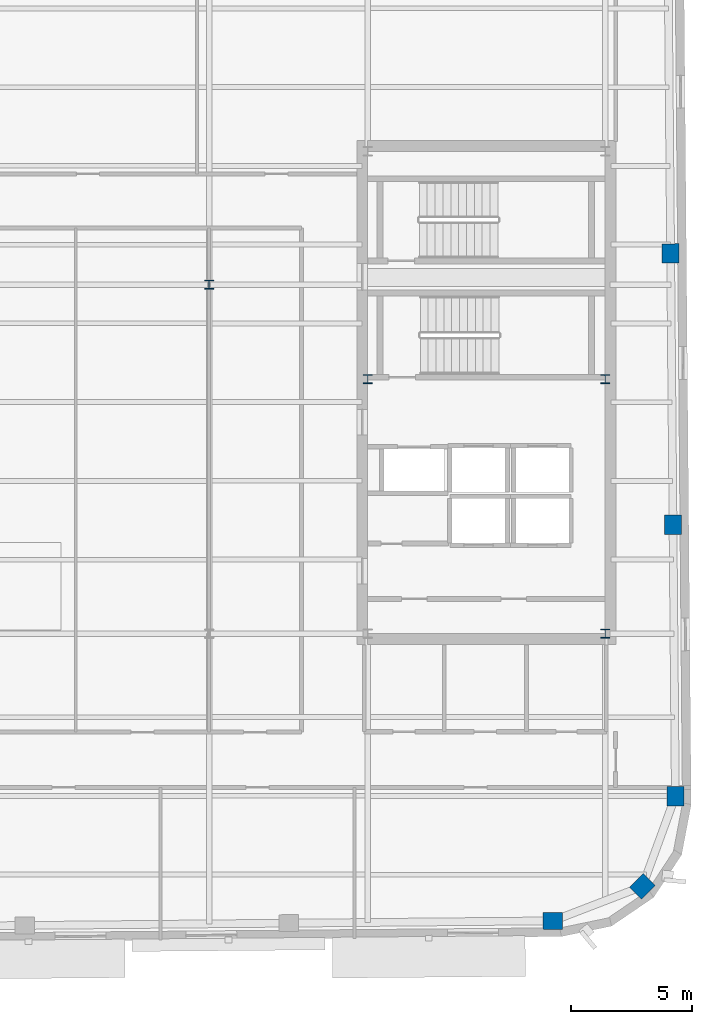
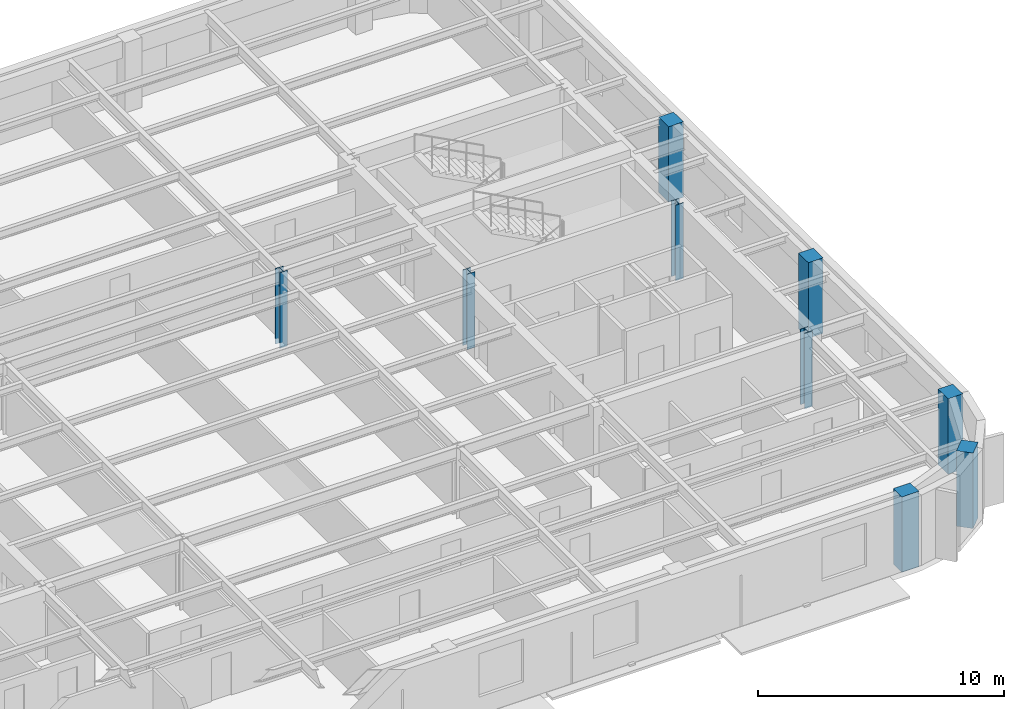
# One storey, part 2 of 15: 9 columns.
"""IFC4 building model written with IfcOpenShell, lengths in metres."""

from ifc_helpers import new_model, si_unit, direction, frame, origin, origin_2d, place, context, subcontext, project, spatial, rectangle, i_section, extrude, material, material_profile, profile_set, type_object, element, save


model = new_model("IFC4")

# Units and contexts
model_context = context("Model", 3, precision=1e-05, world=origin(), true_north=direction((0.0, 1.0)))
body_context = subcontext(model_context, "Body", "Model", "MODEL_VIEW")
ifc_project = project(units=[si_unit("LENGTHUNIT", "METRE"), si_unit("AREAUNIT", "SQUARE_METRE"), si_unit("VOLUMEUNIT", "CUBIC_METRE"), si_unit("PLANEANGLEUNIT", "RADIAN"), si_unit("MASSUNIT", "GRAM", prefix="KILO")], contexts=[model_context])

# Site, building, storey
site_placement = place(None, origin())
site = spatial("IfcSite", under=ifc_project, at=site_placement, CompositionType="ELEMENT")
building_placement = place(site_placement, origin())
building = spatial("IfcBuilding", under=site, at=building_placement, Name="Kolvaren Arena Tower", CompositionType="ELEMENT")
storey_placement = place(building_placement, frame((0.0, 0.0, 293.64990234375)))
storey = spatial("IfcBuildingStorey", under=building, at=storey_placement, Name="L72", CompositionType="ELEMENT", Elevation=293.64990234375)

# Columns
ifc_material_1 = material(Name="Precast concrete C50/60", Category="concrete")
ifc_material_profile_1 = material_profile(ifc_material_1, rectangle(XDim=0.800048828125, YDim=0.699951171875, at=origin_2d()), Name="RC-800x700")
ifc_profile_set_1 = profile_set([ifc_material_profile_1], Name="Precast concrete C50/60")
column_type_1 = type_object("IfcColumnType", Name="EXCOL-Z5", PredefinedType="COLUMN", material=ifc_profile_set_1)
for number, where, z_axis, x_axis, name in (
    (1, (58.190185546875, 7.591064453125, -0.27001953125), (0.0, 0.0, 1.0), (0.999961923064, 0.008726535498, 0.0), "Exoskeleton Perimeter Column 05 (L72)"),
    (2, (61.88671875, 9.0146484375, -0.27001953125), (0.0, 0.0, 1.0), (0.7009092643, 0.713250449154, 0.0), "Exoskeleton Perimeter Column 06 (L72)"),
    (3, (63.24560546875, 12.7353515625, -0.27001953125), (0.0, 0.0, 1.0), (-0.008726535498, 0.999961923064, 0.0), "Exoskeleton Perimeter Column 07 (L72)"),
    (4, (63.147705078125, 23.93505859375, -0.27001953125), (0.0, 0.0, 1.0), (-0.008726535498, 0.999961923064, 0.0), "Exoskeleton Perimeter Column 08 (L72)"),
    (5, (63.050048828125, 35.134521484375, -0.27001953125), (0.0, 0.0, 1.0), (-0.008726535498, 0.999961923064, 0.0), "Exoskeleton Perimeter Column 09 (L72)"),
):
    element("IfcColumn", number, at=place(storey_placement, frame(where, z_axis=z_axis, x_axis=x_axis)), inside=storey, type_object=column_type_1, Name=name, PredefinedType="COLUMN", context=body_context, shape_type="SweptSolid", body=[
        extrude(rectangle(XDim=0.800048828125, YDim=0.699951171875, at=origin_2d()), origin(), (0.0, 0.0, 1.0), 3.75),
    ])
ifc_material_2 = material(Name="Steel ASTM A913 Grade 65", Category="steel")
ifc_material_profile_2 = material_profile(ifc_material_2, i_section(OverallWidth=0.3740234375, OverallDepth=0.3720703125, WebThickness=0.016357421875, FlangeThickness=0.026123046875, FilletRadius=0.02001953125, at=origin_2d()), Name="W360x196")
ifc_profile_set_2 = profile_set([ifc_material_profile_2], Name="Steel ASTM A913 Grade 65")
column_type_2 = type_object("IfcColumnType", Name="SCOL-Z5", PredefinedType="COLUMN", material=ifc_profile_set_2)
for number, where, z_axis, x_axis, name in (
    (6, (60.35009765625, 19.449951171875, -0.27001953125), (0.0, 0.0, 1.0), (1.0, 0.0, 0.0), "Core Boundary Column EC-SE (L72)"),
    (7, (50.550048828125, 29.949951171875, -0.27001953125), (0.0, 0.0, 1.0), (1.0, 0.0, 0.0), "Core Boundary Column EC-MW (L72)"),
    (8, (60.35009765625, 29.949951171875, -0.27001953125), (0.0, 0.0, 1.0), (1.0, 0.0, 0.0), "Core Boundary Column EC-ME (L72)"),
    (9, (44.0, 33.85009765625, -0.27001953125), (0.0, 0.0, 1.0), (1.0, 0.0, 0.0), "Interior Gravity Column TC-NE (L72)"),
):
    element("IfcColumn", number, at=place(storey_placement, frame(where, z_axis=z_axis, x_axis=x_axis)), inside=storey, type_object=column_type_2, Name=name, PredefinedType="COLUMN", context=body_context, shape_type="SweptSolid", body=[
        extrude(i_section(OverallWidth=0.3740234375, OverallDepth=0.3720703125, WebThickness=0.016357421875, FlangeThickness=0.026123046875, FilletRadius=0.02001953125, at=origin_2d()), origin(), (0.0, 0.0, 1.0), 3.75),
    ])

save(model, "model.ifc")
